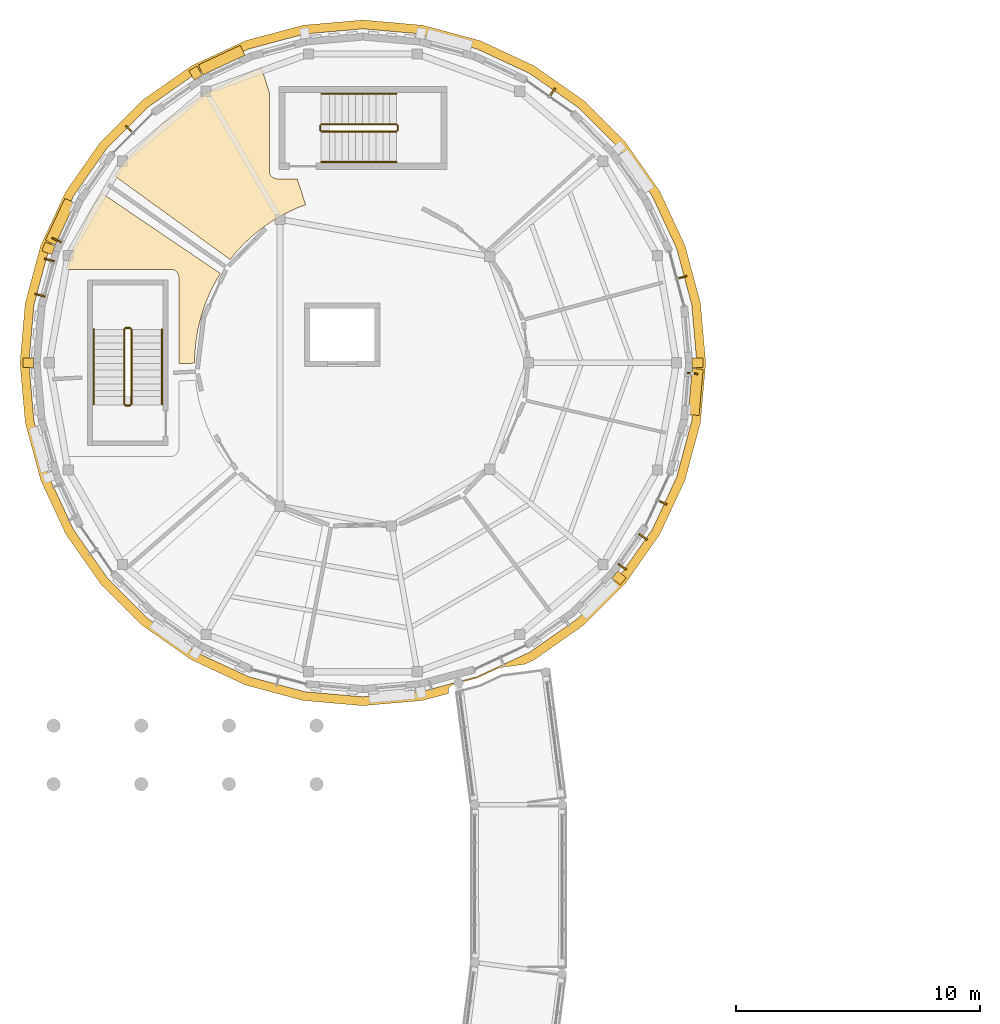
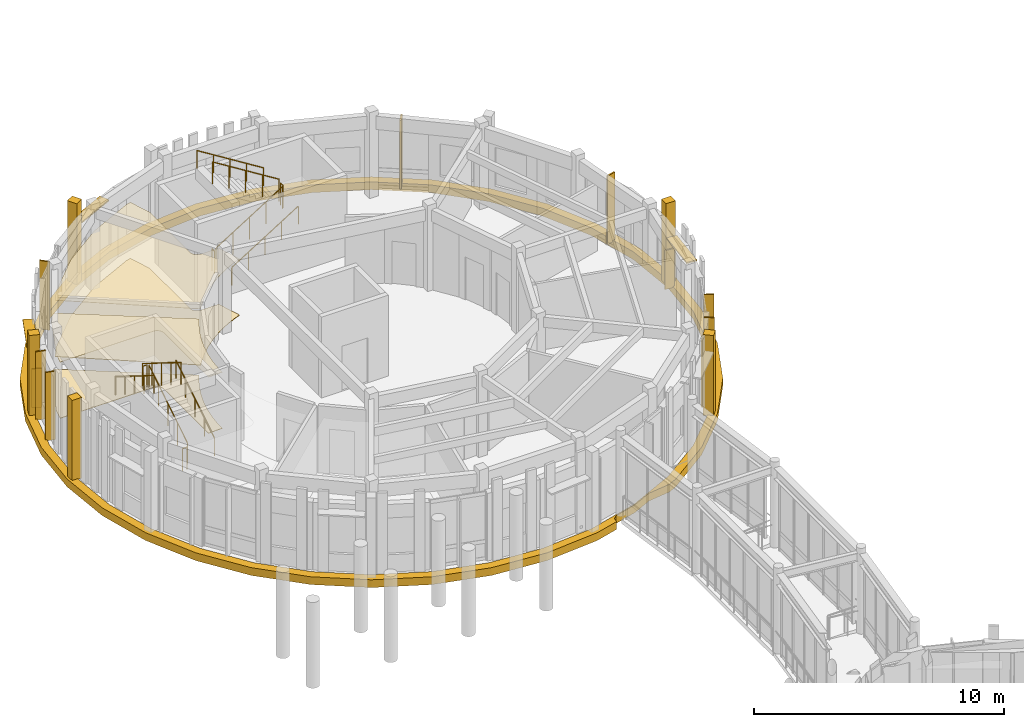
# One storey, part 74 of 80: 13 shading devices, 12 railings, 10 coverings.
"""IFC4 building model written with IfcOpenShell, lengths in metres."""

from ifc_helpers import new_model, si_unit, direction, frame, origin, origin_2d, place, context, subcontext, project, spatial, polyline, rectangle, circle, outline, extrude, material, layer, layer_set, type_object, element, save


model = new_model("IFC4")

# Units and contexts
model_context = context("Model", 3, precision=1e-05, world=origin(), true_north=direction((0.0, 1.0)))
body_context = subcontext(model_context, "Body", "Model", "MODEL_VIEW")
ifc_project = project(units=[si_unit("LENGTHUNIT", "METRE"), si_unit("AREAUNIT", "SQUARE_METRE"), si_unit("VOLUMEUNIT", "CUBIC_METRE"), si_unit("PLANEANGLEUNIT", "RADIAN"), si_unit("MASSUNIT", "GRAM", prefix="KILO")], contexts=[model_context])

# Site, building, storey
site_placement = place(None, origin())
site = spatial("IfcSite", under=ifc_project, at=site_placement, CompositionType="ELEMENT")
building_placement = place(site_placement, origin())
building = spatial("IfcBuilding", under=site, at=building_placement, Name="Aldenvaro Health Centre", CompositionType="ELEMENT")
storey_placement = place(building_placement, frame((0.0, 0.0, 4.550048828125)))
storey = spatial("IfcBuildingStorey", under=building, at=storey_placement, Name="L01", CompositionType="ELEMENT", Elevation=4.550048828125)

# Coverings
ifc_material_1 = material(Name="Antimicrobial Mineral Fibre Ceiling")
ifc_layer_1 = layer(ifc_material_1, 0.01806640625, Name="Antimicrobial Mineral Fibre Ceiling")
ifc_layer_set_1 = layer_set([ifc_layer_1], Name="Antimicrobial Mineral Fibre Ceiling")
covering_type_1 = type_object("IfcCoveringType", Name="COV-CLG-ACT18", PredefinedType="CEILING", material=ifc_layer_set_1)
covering_1_placement = place(storey_placement, frame((0.0, 0.0, 2.75)))
element("IfcCovering", 1, at=covering_1_placement, inside=storey, type_object=covering_type_1, Name="D4-L01-R02 Suspended Ceiling", PredefinedType="CEILING", context=body_context, shape_type="SweptSolid", body=[
    extrude(outline(polyline([(15.873046875, 105.89111328125), (15.85498046875, 105.884033203125), (15.376953125, 105.6640625), (15.360107421875, 105.655029296875), (14.89990234375, 105.39794921875), (14.884033203125, 105.387939453125), (14.446044921875, 105.095947265625), (14.430908203125, 105.0849609375), (14.01708984375, 104.758056640625), (14.0029296875, 104.74609375), (13.615966796875, 104.387939453125), (13.60302734375, 104.375), (13.24609375, 103.988037109375), (13.23388671875, 103.972900390625), (13.051025390625, 103.740966796875), (8.2919921875, 107.18603515625), (8.679931640625, 107.739990234375), (10.260009765625, 109.320068359375), (12.091064453125, 110.60205078125), (14.115966796875, 111.5458984375), (14.337890625, 111.60595703125), (14.659912109375, 110.60791015625), (14.659912109375, 107.3798828125), (14.659912109375, 107.367919921875), (14.660888671875, 107.360107421875), (14.6630859375, 107.3369140625), (14.6640625, 107.3291015625), (14.6689453125, 107.305908203125), (14.6708984375, 107.298095703125), (14.677001953125, 107.27587890625), (14.679931640625, 107.26904296875), (14.68896484375, 107.2470703125), (14.69189453125, 107.239990234375), (14.7041015625, 107.218994140625), (14.7080078125, 107.2119140625), (14.720947265625, 107.193115234375), (14.72509765625, 107.18603515625), (14.739990234375, 107.16796875), (14.74609375, 107.162109375), (14.761962890625, 107.14599609375), (14.76806640625, 107.139892578125), (14.785888671875, 107.125), (14.79296875, 107.12109375), (14.81201171875, 107.10791015625), (14.819091796875, 107.10400390625), (14.840087890625, 107.092041015625), (14.846923828125, 107.089111328125), (14.868896484375, 107.080078125), (14.8759765625, 107.076904296875), (14.89794921875, 107.071044921875), (14.906005859375, 107.069091796875), (14.928955078125, 107.06396484375), (14.93701171875, 107.06298828125), (14.9599609375, 107.06103515625), (14.968017578125, 107.06005859375), (14.97998046875, 107.06005859375), (15.805908203125, 107.06005859375), (16.15087890625, 105.992919921875), (15.873046875, 105.89111328125)])), origin(), (0.0, 0.0, 1.0), 0.01806640625),
])
covering_2_placement = place(storey_placement, frame((0.0, 0.0, 2.75)))
element("IfcCovering", 2, at=covering_2_placement, inside=storey, type_object=covering_type_1, Name="D4-L01-R03 Suspended Ceiling", PredefinedType="CEILING", context=body_context, shape_type="SweptSolid", body=[
    extrude(outline(polyline([(12.4951171875, 102.9189453125), (12.486083984375, 102.902099609375), (12.243896484375, 102.43408203125), (12.236083984375, 102.4169921875), (12.031982421875, 101.931884765625), (12.02587890625, 101.9140625), (11.860107421875, 101.4140625), (11.85498046875, 101.39501953125), (11.72998046875, 100.884033203125), (11.72607421875, 100.864990234375), (11.64208984375, 100.345947265625), (11.639892578125, 100.326904296875), (11.596923828125, 99.802001953125), (11.595947265625, 99.782958984375), (11.594970703125, 99.487060546875), (10.93994140625, 99.462890625), (10.93994140625, 103.02001953125), (10.93994140625, 103.031982421875), (10.93896484375, 103.0400390625), (10.93701171875, 103.06298828125), (10.93603515625, 103.071044921875), (10.930908203125, 103.093994140625), (10.928955078125, 103.10205078125), (10.923095703125, 103.1240234375), (10.919921875, 103.131103515625), (10.910888671875, 103.153076171875), (10.907958984375, 103.159912109375), (10.89599609375, 103.180908203125), (10.89208984375, 103.18798828125), (10.87890625, 103.20703125), (10.875, 103.214111328125), (10.860107421875, 103.23193359375), (10.85400390625, 103.238037109375), (10.837890625, 103.25390625), (10.83203125, 103.260009765625), (10.81396484375, 103.27490234375), (10.806884765625, 103.279052734375), (10.7880859375, 103.2919921875), (10.781005859375, 103.2958984375), (10.760009765625, 103.30810546875), (10.7529296875, 103.31103515625), (10.73095703125, 103.320068359375), (10.72412109375, 103.322998046875), (10.701904296875, 103.3291015625), (10.694091796875, 103.3310546875), (10.6708984375, 103.3359375), (10.6630859375, 103.3369140625), (10.639892578125, 103.339111328125), (10.632080078125, 103.340087890625), (10.6201171875, 103.340087890625), (6.30810546875, 103.340087890625), (6.4541015625, 103.884033203125), (7.39794921875, 105.908935546875), (7.785888671875, 106.464111328125), (12.65087890625, 103.169921875), (12.4951171875, 102.9189453125)])), origin(), (0.0, 0.0, 1.0), 0.01806640625),
])
ifc_material_2 = material(Name="Honed Sonoran Buff Limestone", Category="masonry")
ifc_layer_2 = layer(ifc_material_2, 0.280029296875, Name="Honed Sonoran Buff Limestone", Category="masonry")
ifc_layer_set_2 = layer_set([ifc_layer_2], Name="Honed Sonoran Buff Limestone")
covering_type_2 = type_object("IfcCoveringType", Name="COV-CRN-STN", PredefinedType="CLADDING", material=ifc_layer_set_2)
covering_3_placement = place(storey_placement, frame((0.0, 0.0, -0.340087890625)))
element("IfcCovering", 3, at=covering_3_placement, inside=storey, type_object=covering_type_2, Name="D4 L01 Classical Stone Entablature Cornice 1", PredefinedType="CLADDING", context=body_context, shape_type="SweptSolid", body=[
    extrude(outline(polyline([(20.945068359375, 85.634033203125), (18.5, 85.419921875), (16.054931640625, 85.634033203125), (13.68408203125, 86.26904296875), (11.4599609375, 87.305908203125), (9.449951171875, 88.714111328125), (7.714111328125, 90.449951171875), (6.305908203125, 92.4599609375), (5.26904296875, 94.68408203125), (4.634033203125, 97.054931640625), (4.419921875, 99.5), (4.634033203125, 101.945068359375), (5.26904296875, 104.31591796875), (6.305908203125, 106.5400390625), (7.714111328125, 108.550048828125), (9.449951171875, 110.285888671875), (11.4599609375, 111.694091796875), (13.68408203125, 112.73095703125), (16.054931640625, 113.365966796875), (18.5, 113.580078125), (20.945068359375, 113.365966796875), (23.31591796875, 112.73095703125), (25.5400390625, 111.694091796875), (27.550048828125, 110.285888671875), (29.285888671875, 108.550048828125), (30.694091796875, 106.5400390625), (31.73095703125, 104.31591796875), (32.365966796875, 101.945068359375), (32.580078125, 99.5), (32.365966796875, 97.054931640625), (31.73095703125, 94.68408203125), (30.694091796875, 92.4599609375), (29.285888671875, 90.449951171875), (27.550048828125, 88.714111328125), (25.5400390625, 87.305908203125), (25.137939453125, 87.118896484375), (24.111083984375, 86.98095703125), (23.208984375, 86.56103515625), (22.177978515625, 86.282958984375), (22.02294921875, 86.14208984375), (22.007080078125, 85.91796875), (20.945068359375, 85.634033203125)]), holes=[polyline([(32.007080078125, 101.882080078125), (31.387939453125, 104.19091796875), (30.3779296875, 106.35791015625), (29.006103515625, 108.31591796875), (27.31591796875, 110.006103515625), (25.35791015625, 111.3779296875), (23.19091796875, 112.387939453125), (20.882080078125, 113.007080078125), (18.5, 113.215087890625), (16.117919921875, 113.007080078125), (13.80908203125, 112.387939453125), (11.64306640625, 111.3779296875), (9.68408203125, 110.006103515625), (7.993896484375, 108.31591796875), (6.6220703125, 106.35791015625), (5.612060546875, 104.19091796875), (4.992919921875, 101.882080078125), (4.784912109375, 99.5), (4.992919921875, 97.117919921875), (5.612060546875, 94.80908203125), (6.6220703125, 92.64208984375), (7.993896484375, 90.68408203125), (9.68408203125, 88.993896484375), (11.64208984375, 87.6220703125), (13.80908203125, 86.612060546875), (16.117919921875, 85.992919921875), (18.5, 85.784912109375), (20.882080078125, 85.992919921875), (23.19091796875, 86.612060546875), (25.35791015625, 87.6220703125), (27.31591796875, 88.993896484375), (29.006103515625, 90.68408203125), (30.3779296875, 92.64208984375), (31.387939453125, 94.80908203125), (32.007080078125, 97.117919921875), (32.215087890625, 99.5), (32.007080078125, 101.882080078125)])]), origin(), (0.0, 0.0, 1.0), 0.380126953125),
])
for number, where, z_axis, x_axis, name in (
    (4, (32.239990234375, 99.5, -0.00048828125), (0.0, 0.0, 1.0), (1.0, 0.0, 0.0), "D4 L01 Engaged Classical Limestone Pilaster 01"),
    (5, (29.02587890625, 90.66796875, -0.00048828125), (0.0, 0.0, 1.0), (0.766057587935, -0.642771943979, 0.0), "D4 L01 Engaged Classical Limestone Pilaster 03"),
    (6, (4.760009765625, 99.5, -0.00048828125), (0.0, 0.0, 1.0), (-1.0, 0.0, 0.0), "D4 L01 Engaged Classical Limestone Pilaster 10"),
    (7, (5.589111328125, 104.198974609375, -0.00048828125), (0.0, 0.0, 1.0), (-0.939695335552, 0.342012684476, 0.0), "D4 L01 Engaged Classical Limestone Pilaster 11"),
    (8, (11.6298828125, 111.39892578125, -0.00048828125), (0.0, 0.0, 1.0), (-0.499991611653, 0.866030246745, 0.0), "D4 L01 Engaged Classical Limestone Pilaster 13"),
):
    element("IfcCovering", number, at=place(storey_placement, frame(where, z_axis=z_axis, x_axis=x_axis)), inside=storey, type_object=covering_type_2, Name=name, PredefinedType="CLADDING", context=body_context, shape_type="SweptSolid", body=[
        extrude(rectangle(XDim=0.43994140625, YDim=0.3798828125, at=origin_2d()), origin(), (0.0, 0.0, 1.0), 3.955078125),
    ])
ifc_material_3 = material(Name="Polished Epoxy Terrazzo Flooring")
ifc_layer_3 = layer(ifc_material_3, 0.02197265625, Name="Polished Epoxy Terrazzo Flooring")
ifc_layer_set_3 = layer_set([ifc_layer_3], Name="Polished Epoxy Terrazzo Flooring")
covering_type_3 = type_object("IfcCoveringType", Name="COV-FLR-TER22", PredefinedType="FLOORING", material=ifc_layer_set_3)
covering_4_placement = place(storey_placement, origin())
element("IfcCovering", 9, at=covering_4_placement, inside=storey, type_object=covering_type_3, Name="D4-L01-R02 Flooring", PredefinedType="FLOORING", context=body_context, shape_type="SweptSolid", body=[
    extrude(outline(polyline([(15.873046875, 105.89111328125), (15.85498046875, 105.884033203125), (15.376953125, 105.6640625), (15.360107421875, 105.655029296875), (14.89990234375, 105.39794921875), (14.884033203125, 105.387939453125), (14.446044921875, 105.095947265625), (14.430908203125, 105.0849609375), (14.01708984375, 104.758056640625), (14.0029296875, 104.74609375), (13.615966796875, 104.387939453125), (13.60302734375, 104.375), (13.24609375, 103.988037109375), (13.23388671875, 103.972900390625), (13.051025390625, 103.740966796875), (8.2919921875, 107.18603515625), (8.679931640625, 107.739990234375), (10.260009765625, 109.320068359375), (12.091064453125, 110.60205078125), (14.115966796875, 111.5458984375), (14.337890625, 111.60595703125), (14.659912109375, 110.60791015625), (14.659912109375, 107.3798828125), (14.659912109375, 107.367919921875), (14.660888671875, 107.360107421875), (14.6630859375, 107.3369140625), (14.6640625, 107.3291015625), (14.6689453125, 107.305908203125), (14.6708984375, 107.298095703125), (14.677001953125, 107.27587890625), (14.679931640625, 107.26904296875), (14.68896484375, 107.2470703125), (14.69189453125, 107.239990234375), (14.7041015625, 107.218994140625), (14.7080078125, 107.2119140625), (14.720947265625, 107.193115234375), (14.72509765625, 107.18603515625), (14.739990234375, 107.16796875), (14.74609375, 107.162109375), (14.761962890625, 107.14599609375), (14.76806640625, 107.139892578125), (14.785888671875, 107.125), (14.79296875, 107.12109375), (14.81201171875, 107.10791015625), (14.819091796875, 107.10400390625), (14.840087890625, 107.092041015625), (14.846923828125, 107.089111328125), (14.868896484375, 107.080078125), (14.8759765625, 107.076904296875), (14.89794921875, 107.071044921875), (14.906005859375, 107.069091796875), (14.928955078125, 107.06396484375), (14.93701171875, 107.06298828125), (14.9599609375, 107.06103515625), (14.968017578125, 107.06005859375), (14.97998046875, 107.06005859375), (15.805908203125, 107.06005859375), (16.15087890625, 105.992919921875), (15.873046875, 105.89111328125)])), origin(), (0.0, 0.0, 1.0), 0.02197265625),
])
covering_5_placement = place(storey_placement, origin())
element("IfcCovering", 10, at=covering_5_placement, inside=storey, type_object=covering_type_3, Name="D4-L01-R03 Flooring", PredefinedType="FLOORING", context=body_context, shape_type="SweptSolid", body=[
    extrude(outline(polyline([(12.4951171875, 102.9189453125), (12.486083984375, 102.902099609375), (12.243896484375, 102.43408203125), (12.236083984375, 102.4169921875), (12.031982421875, 101.931884765625), (12.02587890625, 101.9140625), (11.860107421875, 101.4140625), (11.85498046875, 101.39501953125), (11.72998046875, 100.884033203125), (11.72607421875, 100.864990234375), (11.64208984375, 100.345947265625), (11.639892578125, 100.326904296875), (11.596923828125, 99.802001953125), (11.595947265625, 99.782958984375), (11.594970703125, 99.487060546875), (10.93994140625, 99.462890625), (10.93994140625, 103.02001953125), (10.93994140625, 103.031982421875), (10.93896484375, 103.0400390625), (10.93701171875, 103.06298828125), (10.93603515625, 103.071044921875), (10.930908203125, 103.093994140625), (10.928955078125, 103.10205078125), (10.923095703125, 103.1240234375), (10.919921875, 103.131103515625), (10.910888671875, 103.153076171875), (10.907958984375, 103.159912109375), (10.89599609375, 103.180908203125), (10.89208984375, 103.18798828125), (10.87890625, 103.20703125), (10.875, 103.214111328125), (10.860107421875, 103.23193359375), (10.85400390625, 103.238037109375), (10.837890625, 103.25390625), (10.83203125, 103.260009765625), (10.81396484375, 103.27490234375), (10.806884765625, 103.279052734375), (10.7880859375, 103.2919921875), (10.781005859375, 103.2958984375), (10.760009765625, 103.30810546875), (10.7529296875, 103.31103515625), (10.73095703125, 103.320068359375), (10.72412109375, 103.322998046875), (10.701904296875, 103.3291015625), (10.694091796875, 103.3310546875), (10.6708984375, 103.3359375), (10.6630859375, 103.3369140625), (10.639892578125, 103.339111328125), (10.632080078125, 103.340087890625), (10.6201171875, 103.340087890625), (6.30810546875, 103.340087890625), (6.4541015625, 103.884033203125), (7.39794921875, 105.908935546875), (7.785888671875, 106.464111328125), (12.65087890625, 103.169921875), (12.4951171875, 102.9189453125)])), origin(), (0.0, 0.0, 1.0), 0.02197265625),
])

# Railings
ifc_material_4 = material(Name="Painted Architectural Steel", Category="steel")
railing_type_1 = type_object("IfcRailingType", Name="RL-BAL-INT", PredefinedType="BALUSTRADE", material=ifc_material_4)
railing_1_placement = place(storey_placement, frame((16.800048828125, 109.0, 0.175048828125)))
element("IfcRailing", 11, at=railing_1_placement, inside=storey, type_object=railing_type_1, Name="L01 ST-07 stair guard 1", PredefinedType="BALUSTRADE", context=body_context, shape_type="SweptSolid", body=[
    extrude(circle(Radius=0.02392578125, at=origin_2d()), frame((0.0, 0.0, 1.076171875), z_axis=(0.848009633417, 0.0, 0.529980812513), x_axis=(0.0, 1.0, 0.0)), (0.0, 0.0, 1.0), 3.6318359375),
    extrude(circle(Radius=0.02099609375, at=origin_2d()), origin(), (0.0, 0.0, 1.0), 1.052001953125),
    extrude(circle(Radius=0.02099609375, at=origin_2d()), frame((0.77001953125, 0.0, 0.481201171875)), (0.0, 0.0, 1.0), 1.052001953125),
    extrude(circle(Radius=0.02099609375, at=origin_2d()), frame((1.5400390625, 0.0, 0.96240234375)), (0.0, 0.0, 1.0), 1.052001953125),
    extrude(circle(Radius=0.02099609375, at=origin_2d()), frame((2.309814453125, 0.0, 1.443603515625)), (0.0, 0.0, 1.0), 1.052001953125),
    extrude(circle(Radius=0.02099609375, at=origin_2d()), frame((3.079833984375, 0.0, 1.9248046875)), (0.0, 0.0, 1.0), 1.052001953125),
])
railing_2_placement = place(storey_placement, frame((19.929931640625, 109.050048828125, 2.099853515625)))
element("IfcRailing", 12, at=railing_2_placement, inside=storey, type_object=railing_type_1, Name="L01 ST-07 stair guard 2", PredefinedType="BALUSTRADE", context=body_context, shape_type="SweptSolid", body=[
    extrude(circle(Radius=0.02392578125, at=origin_2d()), frame((0.0, 0.0, 1.076171875), z_axis=(0.0, 1.0, 0.0), x_axis=(-1.0, 0.0, 0.0)), (0.0, 0.0, 1.0), 0.199951171875),
    extrude(circle(Radius=0.02099609375, at=origin_2d()), origin(), (0.0, 0.0, 1.0), 1.052001953125),
    extrude(circle(Radius=0.02099609375, at=origin_2d()), frame((0.0, 0.199951171875, 0.0)), (0.0, 0.0, 1.0), 1.052001953125),
])
railing_3_placement = place(storey_placement, frame((19.8798828125, 109.300048828125, 2.27490234375)))
element("IfcRailing", 13, at=railing_3_placement, inside=storey, type_object=railing_type_1, Name="L01 ST-07 stair guard 3", PredefinedType="BALUSTRADE", context=body_context, shape_type="SweptSolid", body=[
    extrude(circle(Radius=0.02392578125, at=origin_2d()), frame((0.0, 0.0, 1.076171875), z_axis=(-0.847979421464, 0.0, 0.530029150871), x_axis=(0.0, -1.0, 0.0)), (0.0, 0.0, 1.0), 3.632080078125),
    extrude(circle(Radius=0.02099609375, at=origin_2d()), origin(), (0.0, 0.0, 1.0), 1.052001953125),
    extrude(circle(Radius=0.02099609375, at=origin_2d()), frame((-0.77001953125, 0.0, 0.481201171875)), (0.0, 0.0, 1.0), 1.052001953125),
    extrude(circle(Radius=0.02099609375, at=origin_2d()), frame((-1.5400390625, 0.0, 0.96240234375)), (0.0, 0.0, 1.0), 1.052001953125),
    extrude(circle(Radius=0.02099609375, at=origin_2d()), frame((-2.309814453125, 0.0, 1.44384765625)), (0.0, 0.0, 1.0), 1.052001953125),
    extrude(circle(Radius=0.02099609375, at=origin_2d()), frame((-3.079833984375, 0.0, 1.925048828125)), (0.0, 0.0, 1.0), 1.052001953125),
])
railing_4_placement = place(storey_placement, frame((16.75, 109.050048828125, 0.0)))
element("IfcRailing", 14, at=railing_4_placement, inside=storey, type_object=railing_type_1, Name="L01 ST-07 stair guard 4", PredefinedType="BALUSTRADE", context=body_context, shape_type="SweptSolid", body=[
    extrude(circle(Radius=0.02392578125, at=origin_2d()), frame((0.0, 0.0, 1.076171875), z_axis=(0.0, 1.0, 0.0), x_axis=(-1.0, 0.0, 0.0)), (0.0, 0.0, 1.0), 0.199951171875),
    extrude(circle(Radius=0.02099609375, at=origin_2d()), origin(), (0.0, 0.0, 1.0), 1.052001953125),
    extrude(circle(Radius=0.02099609375, at=origin_2d()), frame((0.0, 0.199951171875, 0.0)), (0.0, 0.0, 1.0), 1.052001953125),
])
railing_5_placement = place(storey_placement, frame((9.0, 97.800048828125, 0.175048828125)))
element("IfcRailing", 15, at=railing_5_placement, inside=storey, type_object=railing_type_1, Name="L01 ST-08 stair guard 1", PredefinedType="BALUSTRADE", context=body_context, shape_type="SweptSolid", body=[
    extrude(circle(Radius=0.02392578125, at=origin_2d()), frame((0.0, 0.0, 1.076171875), z_axis=(0.0, 0.848009633417, 0.529980812513), x_axis=(-1.0, 0.0, 0.0)), (0.0, 0.0, 1.0), 3.6318359375),
    extrude(circle(Radius=0.02099609375, at=origin_2d()), origin(), (0.0, 0.0, 1.0), 1.052001953125),
    extrude(circle(Radius=0.02099609375, at=origin_2d()), frame((0.0, 0.77001953125, 0.481201171875)), (0.0, 0.0, 1.0), 1.052001953125),
    extrude(circle(Radius=0.02099609375, at=origin_2d()), frame((0.0, 1.5400390625, 0.96240234375)), (0.0, 0.0, 1.0), 1.052001953125),
    extrude(circle(Radius=0.02099609375, at=origin_2d()), frame((0.0, 2.309814453125, 1.443603515625)), (0.0, 0.0, 1.0), 1.052001953125),
    extrude(circle(Radius=0.02099609375, at=origin_2d()), frame((0.0, 3.079833984375, 1.9248046875)), (0.0, 0.0, 1.0), 1.052001953125),
])
railing_6_placement = place(storey_placement, frame((8.949951171875, 100.929931640625, 2.099853515625)))
element("IfcRailing", 16, at=railing_6_placement, inside=storey, type_object=railing_type_1, Name="L01 ST-08 stair guard 2", PredefinedType="BALUSTRADE", context=body_context, shape_type="SweptSolid", body=[
    extrude(circle(Radius=0.02392578125, at=origin_2d()), frame((0.0, 0.0, 1.076171875), z_axis=(-1.0, 0.0, 0.0), x_axis=(0.0, -1.0, 0.0)), (0.0, 0.0, 1.0), 0.199951171875),
    extrude(circle(Radius=0.02099609375, at=origin_2d()), origin(), (0.0, 0.0, 1.0), 1.052001953125),
    extrude(circle(Radius=0.02099609375, at=origin_2d()), frame((-0.199951171875, 0.0, 0.0)), (0.0, 0.0, 1.0), 1.052001953125),
])
railing_7_placement = place(storey_placement, frame((8.699951171875, 100.8798828125, 2.27490234375)))
element("IfcRailing", 17, at=railing_7_placement, inside=storey, type_object=railing_type_1, Name="L01 ST-08 stair guard 3", PredefinedType="BALUSTRADE", context=body_context, shape_type="SweptSolid", body=[
    extrude(circle(Radius=0.02392578125, at=origin_2d()), frame((0.0, 0.0, 1.076171875), z_axis=(0.0, -0.847979421464, 0.530029150871), x_axis=(1.0, 0.0, 0.0)), (0.0, 0.0, 1.0), 3.632080078125),
    extrude(circle(Radius=0.02099609375, at=origin_2d()), origin(), (0.0, 0.0, 1.0), 1.052001953125),
    extrude(circle(Radius=0.02099609375, at=origin_2d()), frame((0.0, -0.77001953125, 0.481201171875)), (0.0, 0.0, 1.0), 1.052001953125),
    extrude(circle(Radius=0.02099609375, at=origin_2d()), frame((0.0, -1.5400390625, 0.96240234375)), (0.0, 0.0, 1.0), 1.052001953125),
    extrude(circle(Radius=0.02099609375, at=origin_2d()), frame((0.0, -2.309814453125, 1.44384765625)), (0.0, 0.0, 1.0), 1.052001953125),
    extrude(circle(Radius=0.02099609375, at=origin_2d()), frame((0.0, -3.079833984375, 1.925048828125)), (0.0, 0.0, 1.0), 1.052001953125),
])
railing_8_placement = place(storey_placement, frame((8.949951171875, 97.75, 0.0)))
element("IfcRailing", 18, at=railing_8_placement, inside=storey, type_object=railing_type_1, Name="L01 ST-08 stair guard 4", PredefinedType="BALUSTRADE", context=body_context, shape_type="SweptSolid", body=[
    extrude(circle(Radius=0.02392578125, at=origin_2d()), frame((0.0, 0.0, 1.076171875), z_axis=(-1.0, 0.0, 0.0), x_axis=(0.0, -1.0, 0.0)), (0.0, 0.0, 1.0), 0.199951171875),
    extrude(circle(Radius=0.02099609375, at=origin_2d()), origin(), (0.0, 0.0, 1.0), 1.052001953125),
    extrude(circle(Radius=0.02099609375, at=origin_2d()), frame((-0.199951171875, 0.0, 0.0)), (0.0, 0.0, 1.0), 1.052001953125),
])
railing_type_2 = type_object("IfcRailingType", Name="RL-HND-INT", PredefinedType="HANDRAIL", material=ifc_material_4)
railing_9_placement = place(storey_placement, frame((16.800048828125, 107.75, 0.175048828125)))
element("IfcRailing", 19, at=railing_9_placement, inside=storey, type_object=railing_type_2, Name="L01 ST-07 stair handrail 1", PredefinedType="HANDRAIL", context=body_context, shape_type="SweptSolid", body=[
    extrude(circle(Radius=0.02392578125, at=origin_2d()), frame((0.0, 0.0, 0.8759765625), z_axis=(0.848009633417, 0.0, 0.529980812513), x_axis=(0.0, 1.0, 0.0)), (0.0, 0.0, 1.0), 3.6318359375),
    extrude(circle(Radius=0.02099609375, at=origin_2d()), origin(), (0.0, 0.0, 1.0), 0.851806640625),
    extrude(circle(Radius=0.02099609375, at=origin_2d()), frame((0.77001953125, 0.0, 0.481201171875)), (0.0, 0.0, 1.0), 0.851806640625),
    extrude(circle(Radius=0.02099609375, at=origin_2d()), frame((1.5400390625, 0.0, 0.96240234375)), (0.0, 0.0, 1.0), 0.851806640625),
    extrude(circle(Radius=0.02099609375, at=origin_2d()), frame((2.309814453125, 0.0, 1.443603515625)), (0.0, 0.0, 1.0), 0.851806640625),
    extrude(circle(Radius=0.02099609375, at=origin_2d()), frame((3.079833984375, 0.0, 1.9248046875)), (0.0, 0.0, 1.0), 0.851806640625),
])
railing_10_placement = place(storey_placement, frame((19.8798828125, 110.550048828125, 2.27490234375)))
element("IfcRailing", 20, at=railing_10_placement, inside=storey, type_object=railing_type_2, Name="L01 ST-07 stair handrail 2", PredefinedType="HANDRAIL", context=body_context, shape_type="SweptSolid", body=[
    extrude(circle(Radius=0.02392578125, at=origin_2d()), frame((0.0, 0.0, 0.8759765625), z_axis=(-0.847979421464, 0.0, 0.530029150871), x_axis=(0.0, -1.0, 0.0)), (0.0, 0.0, 1.0), 3.632080078125),
    extrude(circle(Radius=0.02099609375, at=origin_2d()), origin(), (0.0, 0.0, 1.0), 0.851806640625),
    extrude(circle(Radius=0.02099609375, at=origin_2d()), frame((-0.77001953125, 0.0, 0.481201171875)), (0.0, 0.0, 1.0), 0.851806640625),
    extrude(circle(Radius=0.02099609375, at=origin_2d()), frame((-1.5400390625, 0.0, 0.96240234375)), (0.0, 0.0, 1.0), 0.851806640625),
    extrude(circle(Radius=0.02099609375, at=origin_2d()), frame((-2.309814453125, 0.0, 1.44384765625)), (0.0, 0.0, 1.0), 0.851806640625),
    extrude(circle(Radius=0.02099609375, at=origin_2d()), frame((-3.079833984375, 0.0, 1.925048828125)), (0.0, 0.0, 1.0), 0.851806640625),
])
railing_11_placement = place(storey_placement, frame((10.25, 97.800048828125, 0.175048828125)))
element("IfcRailing", 21, at=railing_11_placement, inside=storey, type_object=railing_type_2, Name="L01 ST-08 stair handrail 1", PredefinedType="HANDRAIL", context=body_context, shape_type="SweptSolid", body=[
    extrude(circle(Radius=0.02392578125, at=origin_2d()), frame((0.0, 0.0, 0.8759765625), z_axis=(0.0, 0.848009633417, 0.529980812513), x_axis=(-1.0, 0.0, 0.0)), (0.0, 0.0, 1.0), 3.6318359375),
    extrude(circle(Radius=0.02099609375, at=origin_2d()), origin(), (0.0, 0.0, 1.0), 0.851806640625),
    extrude(circle(Radius=0.02099609375, at=origin_2d()), frame((0.0, 0.77001953125, 0.481201171875)), (0.0, 0.0, 1.0), 0.851806640625),
    extrude(circle(Radius=0.02099609375, at=origin_2d()), frame((0.0, 1.5400390625, 0.96240234375)), (0.0, 0.0, 1.0), 0.851806640625),
    extrude(circle(Radius=0.02099609375, at=origin_2d()), frame((0.0, 2.309814453125, 1.443603515625)), (0.0, 0.0, 1.0), 0.851806640625),
    extrude(circle(Radius=0.02099609375, at=origin_2d()), frame((0.0, 3.079833984375, 1.9248046875)), (0.0, 0.0, 1.0), 0.851806640625),
])
railing_12_placement = place(storey_placement, frame((7.449951171875, 100.8798828125, 2.27490234375)))
element("IfcRailing", 22, at=railing_12_placement, inside=storey, type_object=railing_type_2, Name="L01 ST-08 stair handrail 2", PredefinedType="HANDRAIL", context=body_context, shape_type="SweptSolid", body=[
    extrude(circle(Radius=0.02392578125, at=origin_2d()), frame((0.0, 0.0, 0.8759765625), z_axis=(0.0, -0.847979421464, 0.530029150871), x_axis=(1.0, 0.0, 0.0)), (0.0, 0.0, 1.0), 3.632080078125),
    extrude(circle(Radius=0.02099609375, at=origin_2d()), origin(), (0.0, 0.0, 1.0), 0.851806640625),
    extrude(circle(Radius=0.02099609375, at=origin_2d()), frame((0.0, -0.77001953125, 0.481201171875)), (0.0, 0.0, 1.0), 0.851806640625),
    extrude(circle(Radius=0.02099609375, at=origin_2d()), frame((0.0, -1.5400390625, 0.96240234375)), (0.0, 0.0, 1.0), 0.851806640625),
    extrude(circle(Radius=0.02099609375, at=origin_2d()), frame((0.0, -2.309814453125, 1.44384765625)), (0.0, 0.0, 1.0), 0.851806640625),
    extrude(circle(Radius=0.02099609375, at=origin_2d()), frame((0.0, -3.079833984375, 1.925048828125)), (0.0, 0.0, 1.0), 0.851806640625),
])

# Shading devices
ifc_material_5 = material(Name="Douglas Fir Exterior Glulam GL28h", Category="wood")
shading_device_type_1 = type_object("IfcShadingDeviceType", Name="SHD-FIN-190", PredefinedType="USERDEFINED", material=ifc_material_5)
for number, where, z_axis, x_axis, name in (
    (23, (32.0380859375, 99.06591796875, -0.02001953125), (0.0, 0.0, 1.0), (-0.087331575855, -0.996179299052, 0.0), "D4 L01 Douglas fir fin 1.1"),
    (24, (5.927001953125, 104.5380859375, -0.02001953125), (0.0, 0.0, 1.0), (0.422557314215, 0.90633620484, 0.0), "D4 L01 Douglas fir fin 21.1"),
):
    element("IfcShadingDevice", number, at=place(storey_placement, frame(where, z_axis=z_axis, x_axis=x_axis)), inside=storey, type_object=shading_device_type_1, Name=name, ObjectType="FIN", PredefinedType="USERDEFINED", context=body_context, shape_type="SweptSolid", body=[
        extrude(rectangle(XDim=0.06494140625, YDim=0.419921875, at=origin_2d()), origin(), (0.0, 0.0, 1.0), 1.89990234375),
    ])
shading_device_type_2 = type_object("IfcShadingDeviceType", Name="SHD-FIN-340", PredefinedType="USERDEFINED", material=ifc_material_5)
shading_device_1_placement = place(storey_placement, frame((26.277099609375, 110.60693359375, -0.01953125), z_axis=(0.0, 0.0, 1.0), x_axis=(0.819050849853, -0.573720929857, 0.0)))
element("IfcShadingDevice", 25, at=shading_device_1_placement, inside=storey, type_object=shading_device_type_2, Name="D4 L01 vertical timber fin 31.0", ObjectType="FIN", PredefinedType="USERDEFINED", context=body_context, shape_type="SweptSolid", body=[
    extrude(rectangle(XDim=0.074951171875, YDim=0.419921875, at=origin_2d()), origin(), (0.0, 0.0, 1.0), 3.34912109375),
])
shading_device_type_3 = type_object("IfcShadingDeviceType", Name="SHD-FIN-400", PredefinedType="USERDEFINED", material=ifc_material_5)
for number, where, z_axis, x_axis, name in (
    (26, (8.9130859375, 109.0869140625, -0.01953125), (0.0, 0.0, 1.0), (0.707106781187, 0.707106781187, 0.0), "D4 L01 vertical timber fin 23.0"),
    (27, (31.596923828125, 103.009033203125, -0.01953125), (0.0, 0.0, 1.0), (0.258621935517, -0.965978620089, 0.0), "D4 L01 vertical timber fin 35.0"),
):
    element("IfcShadingDevice", number, at=place(storey_placement, frame(where, z_axis=z_axis, x_axis=x_axis)), inside=storey, type_object=shading_device_type_3, Name=name, ObjectType="FIN", PredefinedType="USERDEFINED", context=body_context, shape_type="SweptSolid", body=[
        extrude(rectangle(XDim=0.06494140625, YDim=0.419921875, at=origin_2d()), origin(), (0.0, 0.0, 1.0), 3.34912109375),
    ])
shading_device_type_4 = type_object("IfcShadingDeviceType", Name="SHD-FIN-420", PredefinedType="USERDEFINED", material=ifc_material_5)
for number, where, z_axis, x_axis, name in (
    (28, (30.007080078125, 92.35595703125, -0.01953125), (0.0, 0.0, 1.0), (-0.573720929857, -0.819050849853, 0.0), "D4 L01 Douglas fir fin 4.1"),
    (29, (29.14892578125, 91.131103515625, -0.01953125), (0.0, 0.0, 1.0), (-0.573720929857, -0.819050849853, 0.0), "D4 L01 Douglas fir fin 4.3"),
):
    element("IfcShadingDevice", number, at=place(storey_placement, frame(where, z_axis=z_axis, x_axis=x_axis)), inside=storey, type_object=shading_device_type_4, Name=name, ObjectType="FIN", PredefinedType="USERDEFINED", context=body_context, shape_type="SweptSolid", body=[
        extrude(rectangle(XDim=0.06494140625, YDim=0.419921875, at=origin_2d()), origin(), (0.0, 0.0, 1.0), 3.34912109375),
    ])
shading_device_type_5 = type_object("IfcShadingDeviceType", Name="SHD-FIN-435", PredefinedType="USERDEFINED", material=ifc_material_5)
shading_device_2_placement = place(storey_placement, frame((30.7890625, 93.77001953125, -0.01953125), z_axis=(0.0, 0.0, 1.0), x_axis=(-0.422557314215, -0.90633620484, 0.0)))
element("IfcShadingDevice", 30, at=shading_device_2_placement, inside=storey, type_object=shading_device_type_5, Name="D4 L01 vertical timber fin 3.0", ObjectType="FIN", PredefinedType="USERDEFINED", context=body_context, shape_type="SweptSolid", body=[
    extrude(rectangle(XDim=0.06494140625, YDim=0.419921875, at=origin_2d()), origin(), (0.0, 0.0, 1.0), 3.34912109375),
])
shading_device_type_6 = type_object("IfcShadingDeviceType", Name="SHD-FIN-455", PredefinedType="USERDEFINED", material=ifc_material_5)
for number, where, z_axis, x_axis, name in (
    (31, (5.243896484375, 102.278076171875, -0.01953125), (0.0, 0.0, 1.0), (0.258621935517, 0.965978620089, 0.0), "D4 L01 Douglas fir fin 20.1"),
    (32, (5.6298828125, 103.722900390625, -0.01953125), (0.0, 0.0, 1.0), (0.258621935517, 0.965978620089, 0.0), "D4 L01 Douglas fir fin 20.3"),
):
    element("IfcShadingDevice", number, at=place(storey_placement, frame(where, z_axis=z_axis, x_axis=x_axis)), inside=storey, type_object=shading_device_type_6, Name=name, ObjectType="FIN", PredefinedType="USERDEFINED", context=body_context, shape_type="SweptSolid", body=[
        extrude(rectangle(XDim=0.06494140625, YDim=0.419921875, at=origin_2d()), origin(), (0.0, 0.0, 1.0), 3.34912109375),
    ])
shading_device_type_7 = type_object("IfcShadingDeviceType", Name="SHD-LVR-190", PredefinedType="JALOUSIE", material=ifc_material_5)
for number, where, z_axis, x_axis, name in (
    (33, (32.1669921875, 98.303955078125, 2.24755859375), (0.0, 0.0, 1.0), (-0.087331575855, -0.996179299052, 0.0), "D4 L01 horizontal solar louvre 01"),
    (34, (6.06591796875, 105.298095703125, 3.04736328125), (0.0, 0.0, 1.0), (0.422557314215, 0.90633620484, 0.0), "D4 L01 horizontal solar louvre 21"),
    (35, (12.701904296875, 111.93408203125, 2.74755859375), (0.0, 0.0, 1.0), (0.90633620484, 0.422557314215, 0.0), "D4 L01 horizontal solar louvre 25"),
):
    element("IfcShadingDevice", number, at=place(storey_placement, frame(where, z_axis=z_axis, x_axis=x_axis)), inside=storey, type_object=shading_device_type_7, Name=name, PredefinedType="JALOUSIE", context=body_context, shape_type="SweptSolid", body=[
        extrude(rectangle(XDim=1.89990234375, YDim=0.449951171875, at=origin_2d()), origin(), (0.0, 0.0, 1.0), 0.06494140625),
    ])

save(model, "model.ifc")
